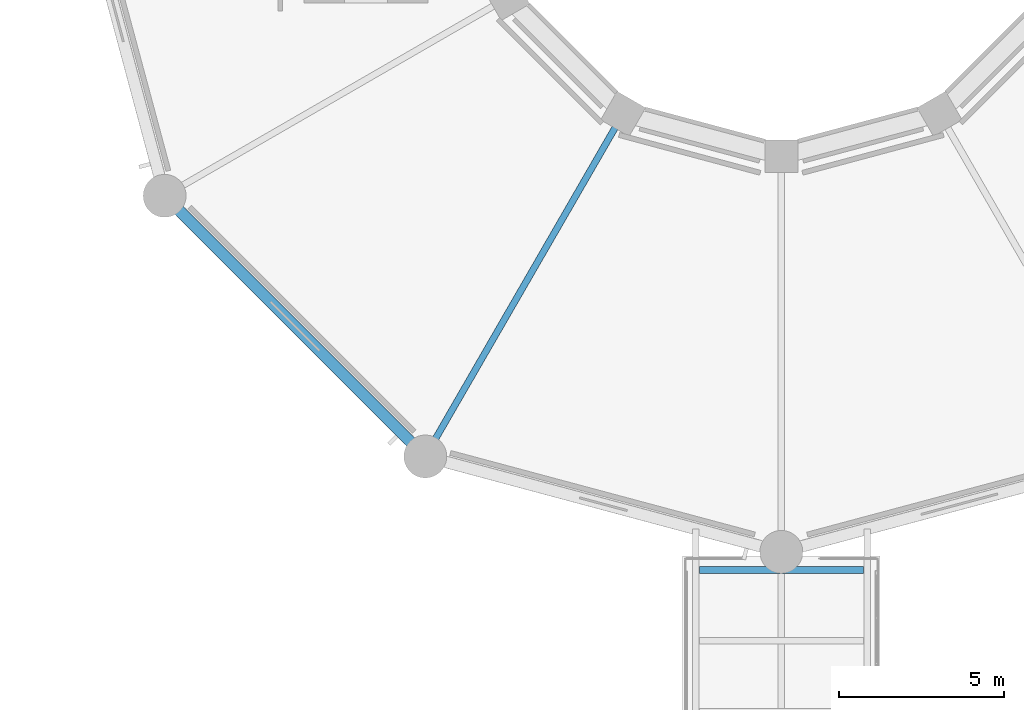
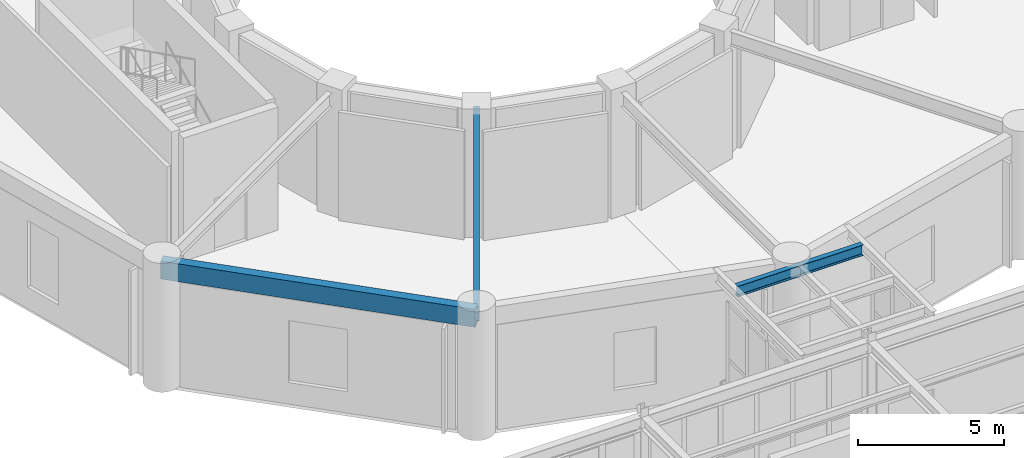
# One storey, part 53 of 155: 3 beams.
"""IFC4 building model written with IfcOpenShell, lengths in metres."""

import ifcopenshell
import ifcopenshell.guid

model = None  # the IFC model being written
_history = None  # IfcOwnerHistory: only IFC2X3 demands one
_inside = {}  # id of a spatial element -> (the spatial element, [elements in it])
_under = {}  # id of a project, library or spatial element -> (it, [spatial elements below it])
_declared = {}  # id of a project -> (the project, [libraries it declares])
_typed = {}  # id of a type object -> (the type object, [elements of that type])
_made_of = {}  # id of a material, layer set ... -> (it, [elements and type objects made of it])


def new_model(schema):
    """Start an empty IFC model of exactly this schema.

    Asked for "IFC4X3", IfcOpenShell would pick the latest addendum, in which some entities
    have other attributes; the version numbers below select the first issue.
    IFC2X3 requires an IfcOwnerHistory on every rooted entity: one is made here for all.
    """
    global model, _history
    if schema == "IFC4X3":
        model = ifcopenshell.file(schema_version=(4, 3, 0, 0))
    else:
        model = ifcopenshell.file(schema=schema)
    _inside.clear()
    _under.clear()
    _declared.clear()
    _typed.clear()
    _made_of.clear()
    _history = None
    if model.schema == "IFC2X3":
        org = make("IfcOrganization", Name="unknown")
        user = make(
            "IfcPersonAndOrganization",
            ThePerson=make("IfcPerson", FamilyName="unknown"),
            TheOrganization=org,
        )
        app = make(
            "IfcApplication",
            ApplicationDeveloper=org,
            Version="unknown",
            ApplicationFullName="unknown",
            ApplicationIdentifier="unknown",
        )
        _history = make(
            "IfcOwnerHistory",
            OwningUser=user,
            OwningApplication=app,
            ChangeAction="ADDED",
            CreationDate=0,
        )
    return model


def make(cls, **values):
    """One entity of the class cls with the attributes given. An attribute that is None is left unset."""
    return model.create_entity(
        cls, **{name: value for name, value in values.items() if value is not None}
    )


def rooted(cls, **values):
    """An entity with a GlobalId (a new one), such as an element, a storey or a relation."""
    return make(cls, GlobalId=ifcopenshell.guid.new(), OwnerHistory=_history, **values)


def si_unit(unit_type, name, prefix=None):
    """IfcSIUnit, for example si_unit("LENGTHUNIT", "METRE", prefix="MILLI")."""
    return make("IfcSIUnit", UnitType=unit_type, Prefix=prefix, Name=name)


def assignment(units):
    """IfcUnitAssignment: the units of a project."""
    return None if units is None else make("IfcUnitAssignment", Units=units)


def point(xyz):
    """IfcCartesianPoint."""
    return None if xyz is None else make("IfcCartesianPoint", Coordinates=xyz)


def direction(xyz):
    """IfcDirection."""
    return None if xyz is None else make("IfcDirection", DirectionRatios=xyz)


def frame(location, z_axis=None, x_axis=None):
    """IfcAxis2Placement3D, a coordinate frame: its origin and axes. An axis left out is left unset."""
    return make(
        "IfcAxis2Placement3D",
        Location=point(location),
        Axis=direction(z_axis),
        RefDirection=direction(x_axis),
    )


def frame_2d(location, x_axis=None):
    """IfcAxis2Placement2D, a coordinate frame in the plane: its origin and x axis."""
    return make(
        "IfcAxis2Placement2D", Location=point(location), RefDirection=direction(x_axis)
    )


def origin():
    """The frame at (0, 0, 0) with its axes left unset."""
    return frame((0.0, 0.0, 0.0))


def origin_2d():
    """The frame at (0, 0) in the plane with its x axis left unset."""
    return frame_2d((0.0, 0.0))


def place(relative_to, where):
    """IfcLocalPlacement: puts the frame where relative to a parent placement (None: the world)."""
    return make(
        "IfcLocalPlacement", PlacementRelTo=relative_to, RelativePlacement=where
    )


def context(
    kind, dimensions, precision=None, world=None, true_north=None, identifier=None
):
    """IfcGeometricRepresentationContext, for example the 3D "Model" context."""
    return make(
        "IfcGeometricRepresentationContext",
        ContextIdentifier=identifier,
        ContextType=kind,
        CoordinateSpaceDimension=dimensions,
        Precision=precision,
        WorldCoordinateSystem=world,
        TrueNorth=true_north,
    )


def subcontext(parent, identifier, kind, view, scale=None):
    """IfcGeometricRepresentationSubContext, for example "Body" below "Model"."""
    return make(
        "IfcGeometricRepresentationSubContext",
        ContextIdentifier=identifier,
        ContextType=kind,
        ParentContext=parent,
        TargetScale=scale,
        TargetView=view,
    )


def project(units=None, contexts=None):
    """IfcProject with its units and contexts."""
    return rooted(
        "IfcProject",
        Name="project",
        RepresentationContexts=contexts,
        UnitsInContext=assignment(units),
    )


def spatial(cls, under=None, at=None, **own):
    """A site, building, storey or space (cls), placed at a placement, below another one or the project."""
    s = rooted(cls, ObjectPlacement=at, **own)
    if under is not None:
        _under.setdefault(under.id(), (under, []))[1].append(s)
    return s


def profile(cls, at=None, kind="AREA", **sizes):
    """A parametric profile (cls). Its sizes go by their IFC names, for example OverallWidth=200.0."""
    return make(cls, ProfileType=kind, Position=at, **sizes)


def rectangle(**sizes):
    """IfcRectangleProfileDef."""
    return profile("IfcRectangleProfileDef", **sizes)


def i_section(**sizes):
    """IfcIShapeProfileDef."""
    return profile("IfcIShapeProfileDef", **sizes)


def extrude(swept, where, along, depth):
    """IfcExtrudedAreaSolid: the profile swept, set in the frame where, extruded along a direction by depth."""
    return make(
        "IfcExtrudedAreaSolid",
        SweptArea=swept,
        Position=where,
        ExtrudedDirection=direction(along),
        Depth=depth,
    )


def shape(context_of_items, identifier, shape_type, items):
    """IfcShapeRepresentation: the items that make up one representation, for example the "Body"."""
    return make(
        "IfcShapeRepresentation",
        ContextOfItems=context_of_items,
        RepresentationIdentifier=identifier,
        RepresentationType=shape_type,
        Items=items,
    )


def material(Name=None, Category=None):
    """IfcMaterial."""
    return make("IfcMaterial", Name=Name, Category=Category)


def material_profile(
    of_material, cross_section, Name=None, Category=None, Priority=None
):
    """IfcMaterialProfile: a cross section and its material."""
    return make(
        "IfcMaterialProfile",
        Name=Name,
        Material=of_material,
        Profile=cross_section,
        Priority=Priority,
        Category=Category,
    )


def profile_set(profiles, Name=None, composite=None):
    """IfcMaterialProfileSet."""
    return make(
        "IfcMaterialProfileSet",
        Name=Name,
        MaterialProfiles=profiles,
        CompositeProfile=composite,
    )


def made_of(thing, what):
    """Note that an element or type object is made of a material, layer set ...; save() writes the relation."""
    if what is not None:
        _made_of.setdefault(what.id(), (what, []))[1].append(thing)
    return thing


def type_object(cls, material=None, **own):
    """A type object (cls), such as IfcWallType, which elements share."""
    return made_of(rooted(cls, **own), material)


def element(
    cls,
    number,
    at=None,
    inside=None,
    cuts=None,
    type_object=None,
    material=None,
    context=None,
    identifier="Body",
    shape_type=None,
    held_by="IfcProductDefinitionShape",
    body=None,
    shapes=None,
    **own,
):
    """One element of the class cls, such as IfcWall. Its Tag is "e" and its number.

    at: its placement. inside: the storey or other place that contains it. cuts: it is an
    opening in that element (IfcRelVoidsElement). A single representation is given by context,
    identifier, shape_type and body (its items); several are given by shapes. held_by: the class
    of the entity that holds the representations. save() writes the other relations.
    """
    e = rooted(cls, Tag="e%d" % number, ObjectPlacement=at, **own)
    if body is not None:
        shapes = [shape(context, identifier, shape_type, body)]
    if shapes is not None:
        e.Representation = make(held_by, Representations=shapes)
    if inside is not None:
        _inside.setdefault(inside.id(), (inside, []))[1].append(e)
    if cuts is not None:
        rooted(
            "IfcRelVoidsElement", RelatingBuildingElement=cuts, RelatedOpeningElement=e
        )
    if type_object is not None:
        _typed.setdefault(type_object.id(), (type_object, []))[1].append(e)
    return made_of(e, material)


def aggregate(whole, parts):
    """IfcRelAggregates: a whole, such as a stair, and the parts it consists of."""
    return rooted("IfcRelAggregates", RelatingObject=whole, RelatedObjects=parts)


def save(model, path):
    """Write the relations noted so far, then the file.

    IfcRelAggregates (storeys below a building ...), IfcRelContainedInSpatialStructure (elements
    in a storey), IfcRelDefinesByType, IfcRelAssociatesMaterial and IfcRelDeclares: one each for
    every whole, place, type object, material and project.
    """
    for whole, parts in _under.values():
        aggregate(whole, parts)
    for where, things in _inside.values():
        rooted(
            "IfcRelContainedInSpatialStructure",
            RelatedElements=things,
            RelatingStructure=where,
        )
    for kind, things in _typed.values():
        rooted("IfcRelDefinesByType", RelatedObjects=things, RelatingType=kind)
    for what, things in _made_of.values():
        rooted("IfcRelAssociatesMaterial", RelatedObjects=things, RelatingMaterial=what)
    for by, libraries in _declared.values():
        rooted("IfcRelDeclares", RelatingContext=by, RelatedDefinitions=libraries)
    model.write(path)


model = new_model("IFC4")

# Units and contexts
model_context = context("Model", 3, precision=1e-05, world=origin(), true_north=direction((0.0, 1.0)))
body_context = subcontext(model_context, "Body", "Model", "MODEL_VIEW")
ifc_project = project(units=[si_unit("LENGTHUNIT", "METRE"), si_unit("AREAUNIT", "SQUARE_METRE"), si_unit("VOLUMEUNIT", "CUBIC_METRE"), si_unit("PLANEANGLEUNIT", "RADIAN"), si_unit("MASSUNIT", "GRAM", prefix="KILO")], contexts=[model_context])

# Site, building, storey
site_placement = place(None, origin())
site = spatial("IfcSite", under=ifc_project, at=site_placement, CompositionType="ELEMENT")
building_placement = place(site_placement, origin())
building = spatial("IfcBuilding", under=site, at=building_placement, Name="Haizhuo Lancet Aquarium", CompositionType="ELEMENT")
storey_placement = place(building_placement, frame((0.0, 0.0, 10.800048828125)))
storey = spatial("IfcBuildingStorey", under=building, at=storey_placement, Name="L02", CompositionType="ELEMENT", Elevation=10.800048828125)

# Beams
ifc_material_1 = material(Name="Steel S355", Category="steel")
ifc_material_profile_1 = material_profile(ifc_material_1, i_section(OverallWidth=0.199951171875, OverallDepth=0.60009765625, WebThickness=0.010986328125, FlangeThickness=0.01708984375, FilletRadius=0.02197265625, at=origin_2d()), Name="HN 600x200x11x17")
ifc_profile_set_1 = profile_set([ifc_material_profile_1], Name="Steel S355")
beam_type_1 = type_object("IfcBeamType", Name="BM-ST-HN600", PredefinedType="BEAM", material=ifc_profile_set_1)
beam_1_placement = place(storey_placement, frame((-4.800048828125, -8.31396484375, 4.85986328125), z_axis=(-0.500007758305, -0.866020924479, 0.0), x_axis=(0.866020924479, -0.500007758305, 0.0)))
element("IfcBeam", 1, at=beam_1_placement, inside=storey, type_object=beam_type_1, Name="L02 radial gallery girder 9", PredefinedType="BEAM", context=body_context, shape_type="SweptSolid", body=[
    extrude(i_section(OverallWidth=0.199951171875, OverallDepth=0.60009765625, WebThickness=0.010986328125, FlangeThickness=0.01708984375, FilletRadius=0.02197265625, at=origin_2d()), origin(), (0.0, 0.0, 1.0), 11.999755859375),
])
ifc_material_profile_2 = material_profile(ifc_material_1, i_section(OverallWidth=0.199951171875, OverallDepth=0.449951171875, WebThickness=0.009033203125, FlangeThickness=0.013916015625, FilletRadius=0.01806640625, at=origin_2d()), Name="HN 450x200x9x14")
ifc_profile_set_2 = profile_set([ifc_material_profile_2], Name="Steel S355")
beam_type_2 = type_object("IfcBeamType", Name="JST-ST-HN450", PredefinedType="JOIST", material=ifc_profile_set_2)
beam_2_placement = place(storey_placement, frame((-2.489990234375, -22.14990234375, 5.02490234375), z_axis=(1.0, 0.0, 0.0), x_axis=(0.0, 1.0, 0.0)))
element("IfcBeam", 2, at=beam_2_placement, inside=storey, type_object=beam_type_2, Name="Bridge roof cross tie SB-04 N", PredefinedType="JOIST", context=body_context, shape_type="SweptSolid", body=[
    extrude(i_section(OverallWidth=0.199951171875, OverallDepth=0.449951171875, WebThickness=0.009033203125, FlangeThickness=0.013916015625, FilletRadius=0.01806640625, at=origin_2d()), origin(), (0.0, 0.0, 1.0), 4.97998046875),
])
ifc_material_2 = material(Name="Concrete C40/50", Category="concrete")
ifc_material_profile_3 = material_profile(ifc_material_2, rectangle(XDim=0.35009765625, YDim=0.75, at=origin_2d()), Name="RC-SP 350x750")
ifc_profile_set_3 = profile_set([ifc_material_profile_3], Name="Concrete C40/50")
beam_type_3 = type_object("IfcBeamType", Name="SPN-RC-350x750", PredefinedType="SPANDREL", material=ifc_profile_set_3)
beam_3_placement = place(storey_placement, frame((-18.7060546875, -10.800048828125, 4.784912109375), z_axis=(0.707106781187, -0.707106781187, 0.0), x_axis=(0.707106781187, 0.707106781187, 0.0)))
element("IfcBeam", 3, at=beam_3_placement, inside=storey, type_object=beam_type_3, Name="L02 drum perimeter spandrel 8", PredefinedType="SPANDREL", context=body_context, shape_type="SweptSolid", body=[
    extrude(rectangle(XDim=0.35009765625, YDim=0.75, at=origin_2d()), origin(), (0.0, 0.0, 1.0), 11.1806640625),
])

save(model, "model.ifc")
